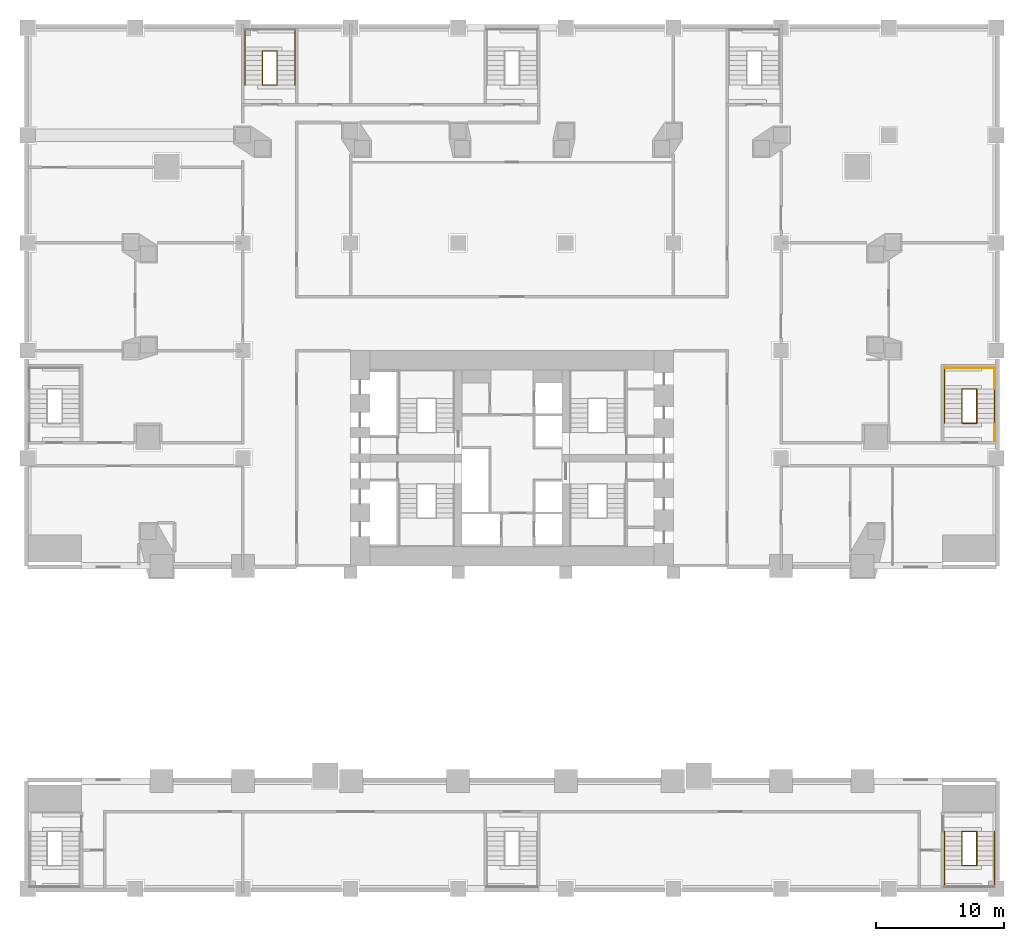
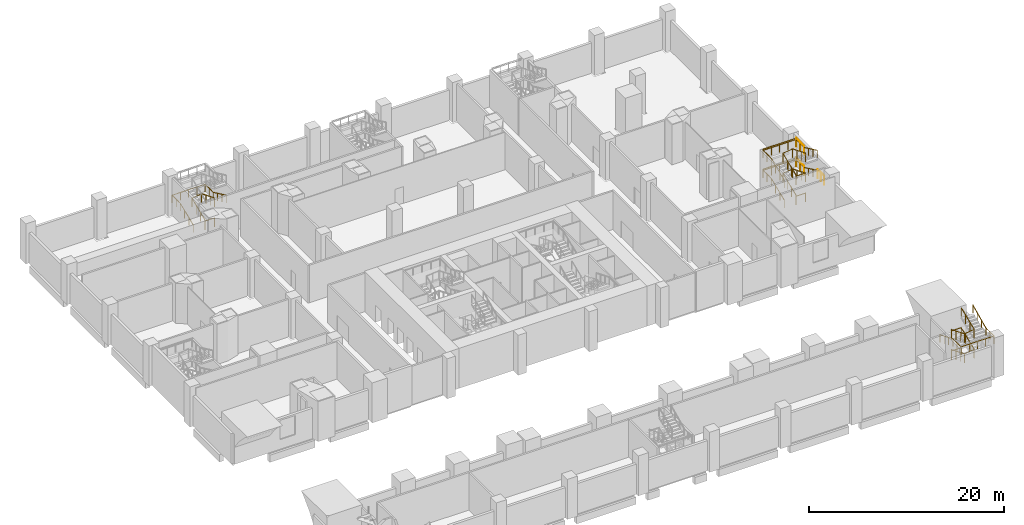
# One storey, part 14 of 16: 14 railings.
"""IFC4 building model written with IfcOpenShell, lengths in metres."""

from ifc_helpers import new_model, si_unit, direction, frame, origin, origin_2d, place, context, subcontext, project, spatial, circle, extrude, material, type_object, element, save


model = new_model("IFC4")

# Units and contexts
model_context = context("Model", 3, precision=1e-05, world=origin(), true_north=direction((0.0, 1.0)))
body_context = subcontext(model_context, "Body", "Model", "MODEL_VIEW")
ifc_project = project(units=[si_unit("LENGTHUNIT", "METRE"), si_unit("AREAUNIT", "SQUARE_METRE"), si_unit("VOLUMEUNIT", "CUBIC_METRE"), si_unit("PLANEANGLEUNIT", "RADIAN"), si_unit("MASSUNIT", "GRAM", prefix="KILO")], contexts=[model_context])

# Site, building, storey
site_placement = place(None, origin())
site = spatial("IfcSite", under=ifc_project, at=site_placement, CompositionType="ELEMENT")
building_placement = place(site_placement, origin())
building = spatial("IfcBuilding", under=site, at=building_placement, Name="Marenta Gate Hotel Tower", CompositionType="ELEMENT")
storey_placement = place(building_placement, frame((0.0, 0.0, 21.0)))
storey = spatial("IfcBuildingStorey", under=building, at=storey_placement, Name="L03", CompositionType="ELEMENT", Elevation=21.0)

# Railings
ifc_material_1 = material(Name="Stainless steel", Category="steel")
railing_type_1 = type_object("IfcRailingType", Name="Core stair handrail 950", PredefinedType="HANDRAIL", material=ifc_material_1)
railing_1_placement = place(storey_placement, frame((33.75, -20.72998046875, 2.65625)))
element("IfcRailing", 1, at=railing_1_placement, inside=storey, type_object=railing_type_1, Name="HR-950 L03-KR-PX2-5", PredefinedType="HANDRAIL", context=body_context, shape_type="SweptSolid", body=[
    extrude(circle(Radius=0.02392578125, at=origin_2d()), frame((0.0, 0.0, 0.92578125), z_axis=(0.0, -0.924862585091, 0.38030145766), x_axis=(1.0, 0.0, 0.0)), (0.0, 0.0, 1.0), 2.8759765625),
    extrude(circle(Radius=0.02392578125, at=origin_2d()), frame((0.0, -2.659912109375, 2.01953125), z_axis=(0.0, -1.0, 0.0), x_axis=(1.0, 0.0, 0.0)), (0.0, 0.0, 1.0), 1.66015625),
    extrude(circle(Radius=0.02392578125, at=origin_2d()), frame((0.0, -4.320068359375, 2.01953125), z_axis=(1.0, 0.0, 0.0), x_axis=(0.0, 1.0, 0.0)), (0.0, 0.0, 1.0), 3.89990234375),
    extrude(circle(Radius=0.02392578125, at=origin_2d()), frame((3.89990234375, -4.320068359375, 2.01953125), z_axis=(0.0, 1.0, 0.0), x_axis=(-1.0, 0.0, 0.0)), (0.0, 0.0, 1.0), 1.66015625),
    extrude(circle(Radius=0.02392578125, at=origin_2d()), frame((3.89990234375, -2.659912109375, 2.01953125), z_axis=(0.0, 0.905044486808, 0.425316913488), x_axis=(-1.0, 0.0, 0.0)), (0.0, 0.0, 1.0), 2.93896484375),
    extrude(circle(Radius=0.02099609375, at=origin_2d()), origin(), (0.0, 0.0, 1.0), 0.90185546875),
    extrude(circle(Radius=0.02099609375, at=origin_2d()), frame((0.0, -0.88671875, 0.364501953125)), (0.0, 0.0, 1.0), 0.90185546875),
    extrude(circle(Radius=0.02099609375, at=origin_2d()), frame((0.0, -1.773193359375, 0.729248046875)), (0.0, 0.0, 1.0), 0.90185546875),
    extrude(circle(Radius=0.02099609375, at=origin_2d()), frame((0.0, -2.659912109375, 1.09375)), (0.0, 0.0, 1.0), 0.90185546875),
    extrude(circle(Radius=0.02099609375, at=origin_2d()), frame((0.0, -3.489990234375, 1.09375)), (0.0, 0.0, 1.0), 0.90185546875),
    extrude(circle(Radius=0.02099609375, at=origin_2d()), frame((0.0, -4.320068359375, 1.09375)), (0.0, 0.0, 1.0), 0.90185546875),
    extrude(circle(Radius=0.02099609375, at=origin_2d()), frame((0.97509765625, -4.320068359375, 1.09375)), (0.0, 0.0, 1.0), 0.90185546875),
    extrude(circle(Radius=0.02099609375, at=origin_2d()), frame((1.949951171875, -4.320068359375, 1.09375)), (0.0, 0.0, 1.0), 0.90185546875),
    extrude(circle(Radius=0.02099609375, at=origin_2d()), frame((2.9248046875, -4.320068359375, 1.09375)), (0.0, 0.0, 1.0), 0.90185546875),
    extrude(circle(Radius=0.02099609375, at=origin_2d()), frame((3.89990234375, -4.320068359375, 1.09375)), (0.0, 0.0, 1.0), 0.90185546875),
    extrude(circle(Radius=0.02099609375, at=origin_2d()), frame((3.89990234375, -3.489990234375, 1.09375)), (0.0, 0.0, 1.0), 0.90185546875),
    extrude(circle(Radius=0.02099609375, at=origin_2d()), frame((3.89990234375, -2.659912109375, 1.09375)), (0.0, 0.0, 1.0), 0.90185546875),
    extrude(circle(Radius=0.02099609375, at=origin_2d()), frame((3.89990234375, -1.773193359375, 1.510498046875)), (0.0, 0.0, 1.0), 0.90185546875),
    extrude(circle(Radius=0.02099609375, at=origin_2d()), frame((3.89990234375, -0.88671875, 1.927001953125)), (0.0, 0.0, 1.0), 0.90185546875),
    extrude(circle(Radius=0.02099609375, at=origin_2d()), frame((3.89990234375, 0.0, 2.34375)), (0.0, 0.0, 1.0), 0.90185546875),
])
railing_2_placement = place(storey_placement, frame((-20.85009765625, 37.530029296875, 0.15625)))
element("IfcRailing", 2, at=railing_2_placement, inside=storey, type_object=railing_type_1, Name="HR-950 L03-KR-PX3-2", PredefinedType="HANDRAIL", context=body_context, shape_type="SweptSolid", body=[
    extrude(circle(Radius=0.02392578125, at=origin_2d()), frame((0.0, 0.0, 0.92578125), z_axis=(0.0, 0.924862585091, 0.38030145766), x_axis=(-1.0, 0.0, 0.0)), (0.0, 0.0, 1.0), 2.8759765625),
    extrude(circle(Radius=0.02392578125, at=origin_2d()), frame((0.0, 2.659912109375, 2.01953125), z_axis=(0.0, 1.0, 0.0), x_axis=(-1.0, 0.0, 0.0)), (0.0, 0.0, 1.0), 1.66015625),
    extrude(circle(Radius=0.02392578125, at=origin_2d()), frame((0.0, 4.320068359375, 2.01953125), z_axis=(1.0, 0.0, 0.0), x_axis=(0.0, 1.0, 0.0)), (0.0, 0.0, 1.0), 3.900146484375),
    extrude(circle(Radius=0.02392578125, at=origin_2d()), frame((3.900146484375, 4.320068359375, 2.01953125), z_axis=(0.0, -1.0, 0.0), x_axis=(1.0, 0.0, 0.0)), (0.0, 0.0, 1.0), 1.66015625),
    extrude(circle(Radius=0.02392578125, at=origin_2d()), frame((3.900146484375, 2.659912109375, 2.01953125), z_axis=(0.0, -0.905044486808, 0.425316913488), x_axis=(1.0, 0.0, 0.0)), (0.0, 0.0, 1.0), 2.93896484375),
    extrude(circle(Radius=0.02099609375, at=origin_2d()), origin(), (0.0, 0.0, 1.0), 0.90185546875),
    extrude(circle(Radius=0.02099609375, at=origin_2d()), frame((0.0, 0.88671875, 0.364501953125)), (0.0, 0.0, 1.0), 0.90185546875),
    extrude(circle(Radius=0.02099609375, at=origin_2d()), frame((0.0, 1.773193359375, 0.729248046875)), (0.0, 0.0, 1.0), 0.90185546875),
    extrude(circle(Radius=0.02099609375, at=origin_2d()), frame((0.0, 2.659912109375, 1.09375)), (0.0, 0.0, 1.0), 0.90185546875),
    extrude(circle(Radius=0.02099609375, at=origin_2d()), frame((0.0, 3.489990234375, 1.09375)), (0.0, 0.0, 1.0), 0.90185546875),
    extrude(circle(Radius=0.02099609375, at=origin_2d()), frame((0.0, 4.320068359375, 1.09375)), (0.0, 0.0, 1.0), 0.90185546875),
    extrude(circle(Radius=0.02099609375, at=origin_2d()), frame((0.97509765625, 4.320068359375, 1.09375)), (0.0, 0.0, 1.0), 0.90185546875),
    extrude(circle(Radius=0.02099609375, at=origin_2d()), frame((1.9501953125, 4.320068359375, 1.09375)), (0.0, 0.0, 1.0), 0.90185546875),
    extrude(circle(Radius=0.02099609375, at=origin_2d()), frame((2.925048828125, 4.320068359375, 1.09375)), (0.0, 0.0, 1.0), 0.90185546875),
    extrude(circle(Radius=0.02099609375, at=origin_2d()), frame((3.900146484375, 4.320068359375, 1.09375)), (0.0, 0.0, 1.0), 0.90185546875),
    extrude(circle(Radius=0.02099609375, at=origin_2d()), frame((3.900146484375, 3.489990234375, 1.09375)), (0.0, 0.0, 1.0), 0.90185546875),
    extrude(circle(Radius=0.02099609375, at=origin_2d()), frame((3.900146484375, 2.659912109375, 1.09375)), (0.0, 0.0, 1.0), 0.90185546875),
    extrude(circle(Radius=0.02099609375, at=origin_2d()), frame((3.900146484375, 1.773193359375, 1.510498046875)), (0.0, 0.0, 1.0), 0.90185546875),
    extrude(circle(Radius=0.02099609375, at=origin_2d()), frame((3.900146484375, 0.88671875, 1.927001953125)), (0.0, 0.0, 1.0), 0.90185546875),
    extrude(circle(Radius=0.02099609375, at=origin_2d()), frame((3.900146484375, 0.0, 2.34375)), (0.0, 0.0, 1.0), 0.90185546875),
])
railing_3_placement = place(storey_placement, frame((33.75, 11.1298828125, 0.15625)))
element("IfcRailing", 3, at=railing_3_placement, inside=storey, type_object=railing_type_1, Name="HR-950 L03-KR-PX7-2", PredefinedType="HANDRAIL", context=body_context, shape_type="SweptSolid", body=[
    extrude(circle(Radius=0.02392578125, at=origin_2d()), frame((0.0, 0.0, 0.92578125), z_axis=(0.0, 0.924874861033, 0.380271602187), x_axis=(-1.0, 0.0, 0.0)), (0.0, 0.0, 1.0), 2.876220703125),
    extrude(circle(Radius=0.02392578125, at=origin_2d()), frame((0.0, 2.66015625, 2.01953125), z_axis=(0.0, 1.0, 0.0), x_axis=(-1.0, 0.0, 0.0)), (0.0, 0.0, 1.0), 1.659912109375),
    extrude(circle(Radius=0.02392578125, at=origin_2d()), frame((0.0, 4.320068359375, 2.01953125), z_axis=(1.0, 0.0, 0.0), x_axis=(0.0, 1.0, 0.0)), (0.0, 0.0, 1.0), 3.89990234375),
    extrude(circle(Radius=0.02392578125, at=origin_2d()), frame((3.89990234375, 4.320068359375, 2.01953125), z_axis=(0.0, -1.0, 0.0), x_axis=(1.0, 0.0, 0.0)), (0.0, 0.0, 1.0), 1.659912109375),
    extrude(circle(Radius=0.02392578125, at=origin_2d()), frame((3.89990234375, 2.66015625, 2.01953125), z_axis=(0.0, -0.905059511965, 0.425284939543), x_axis=(1.0, 0.0, 0.0)), (0.0, 0.0, 1.0), 2.939208984375),
    extrude(circle(Radius=0.02099609375, at=origin_2d()), origin(), (0.0, 0.0, 1.0), 0.90185546875),
    extrude(circle(Radius=0.02099609375, at=origin_2d()), frame((0.0, 0.88671875, 0.364501953125)), (0.0, 0.0, 1.0), 0.90185546875),
    extrude(circle(Radius=0.02099609375, at=origin_2d()), frame((0.0, 1.7734375, 0.729248046875)), (0.0, 0.0, 1.0), 0.90185546875),
    extrude(circle(Radius=0.02099609375, at=origin_2d()), frame((0.0, 2.66015625, 1.09375)), (0.0, 0.0, 1.0), 0.90185546875),
    extrude(circle(Radius=0.02099609375, at=origin_2d()), frame((0.0, 3.490234375, 1.09375)), (0.0, 0.0, 1.0), 0.90185546875),
    extrude(circle(Radius=0.02099609375, at=origin_2d()), frame((0.0, 4.320068359375, 1.09375)), (0.0, 0.0, 1.0), 0.90185546875),
    extrude(circle(Radius=0.02099609375, at=origin_2d()), frame((0.97509765625, 4.320068359375, 1.09375)), (0.0, 0.0, 1.0), 0.90185546875),
    extrude(circle(Radius=0.02099609375, at=origin_2d()), frame((1.949951171875, 4.320068359375, 1.09375)), (0.0, 0.0, 1.0), 0.90185546875),
    extrude(circle(Radius=0.02099609375, at=origin_2d()), frame((2.9248046875, 4.320068359375, 1.09375)), (0.0, 0.0, 1.0), 0.90185546875),
    extrude(circle(Radius=0.02099609375, at=origin_2d()), frame((3.89990234375, 4.320068359375, 1.09375)), (0.0, 0.0, 1.0), 0.90185546875),
    extrude(circle(Radius=0.02099609375, at=origin_2d()), frame((3.89990234375, 3.490234375, 1.09375)), (0.0, 0.0, 1.0), 0.90185546875),
    extrude(circle(Radius=0.02099609375, at=origin_2d()), frame((3.89990234375, 2.66015625, 1.09375)), (0.0, 0.0, 1.0), 0.90185546875),
    extrude(circle(Radius=0.02099609375, at=origin_2d()), frame((3.89990234375, 1.7734375, 1.510498046875)), (0.0, 0.0, 1.0), 0.90185546875),
    extrude(circle(Radius=0.02099609375, at=origin_2d()), frame((3.89990234375, 0.88671875, 1.927001953125)), (0.0, 0.0, 1.0), 0.90185546875),
    extrude(circle(Radius=0.02099609375, at=origin_2d()), frame((3.89990234375, 0.0, 2.34375)), (0.0, 0.0, 1.0), 0.90185546875),
])
railing_4_placement = place(storey_placement, frame((33.75, 11.1298828125, 2.65625)))
element("IfcRailing", 4, at=railing_4_placement, inside=storey, type_object=railing_type_1, Name="HR-950 L03-KR-PX7-5", PredefinedType="HANDRAIL", context=body_context, shape_type="SweptSolid", body=[
    extrude(circle(Radius=0.02392578125, at=origin_2d()), frame((0.0, 0.0, 0.92578125), z_axis=(0.0, 0.924874861033, 0.380271602187), x_axis=(-1.0, 0.0, 0.0)), (0.0, 0.0, 1.0), 2.876220703125),
    extrude(circle(Radius=0.02392578125, at=origin_2d()), frame((0.0, 2.66015625, 2.01953125), z_axis=(0.0, 1.0, 0.0), x_axis=(-1.0, 0.0, 0.0)), (0.0, 0.0, 1.0), 1.659912109375),
    extrude(circle(Radius=0.02392578125, at=origin_2d()), frame((0.0, 4.320068359375, 2.01953125), z_axis=(1.0, 0.0, 0.0), x_axis=(0.0, 1.0, 0.0)), (0.0, 0.0, 1.0), 3.89990234375),
    extrude(circle(Radius=0.02392578125, at=origin_2d()), frame((3.89990234375, 4.320068359375, 2.01953125), z_axis=(0.0, -1.0, 0.0), x_axis=(1.0, 0.0, 0.0)), (0.0, 0.0, 1.0), 1.659912109375),
    extrude(circle(Radius=0.02392578125, at=origin_2d()), frame((3.89990234375, 2.66015625, 2.01953125), z_axis=(0.0, -0.905059511965, 0.425284939543), x_axis=(1.0, 0.0, 0.0)), (0.0, 0.0, 1.0), 2.939208984375),
    extrude(circle(Radius=0.02099609375, at=origin_2d()), origin(), (0.0, 0.0, 1.0), 0.90185546875),
    extrude(circle(Radius=0.02099609375, at=origin_2d()), frame((0.0, 0.88671875, 0.364501953125)), (0.0, 0.0, 1.0), 0.90185546875),
    extrude(circle(Radius=0.02099609375, at=origin_2d()), frame((0.0, 1.7734375, 0.729248046875)), (0.0, 0.0, 1.0), 0.90185546875),
    extrude(circle(Radius=0.02099609375, at=origin_2d()), frame((0.0, 2.66015625, 1.09375)), (0.0, 0.0, 1.0), 0.90185546875),
    extrude(circle(Radius=0.02099609375, at=origin_2d()), frame((0.0, 3.490234375, 1.09375)), (0.0, 0.0, 1.0), 0.90185546875),
    extrude(circle(Radius=0.02099609375, at=origin_2d()), frame((0.0, 4.320068359375, 1.09375)), (0.0, 0.0, 1.0), 0.90185546875),
    extrude(circle(Radius=0.02099609375, at=origin_2d()), frame((0.97509765625, 4.320068359375, 1.09375)), (0.0, 0.0, 1.0), 0.90185546875),
    extrude(circle(Radius=0.02099609375, at=origin_2d()), frame((1.949951171875, 4.320068359375, 1.09375)), (0.0, 0.0, 1.0), 0.90185546875),
    extrude(circle(Radius=0.02099609375, at=origin_2d()), frame((2.9248046875, 4.320068359375, 1.09375)), (0.0, 0.0, 1.0), 0.90185546875),
    extrude(circle(Radius=0.02099609375, at=origin_2d()), frame((3.89990234375, 4.320068359375, 1.09375)), (0.0, 0.0, 1.0), 0.90185546875),
    extrude(circle(Radius=0.02099609375, at=origin_2d()), frame((3.89990234375, 3.490234375, 1.09375)), (0.0, 0.0, 1.0), 0.90185546875),
    extrude(circle(Radius=0.02099609375, at=origin_2d()), frame((3.89990234375, 2.66015625, 1.09375)), (0.0, 0.0, 1.0), 0.90185546875),
    extrude(circle(Radius=0.02099609375, at=origin_2d()), frame((3.89990234375, 1.7734375, 1.510498046875)), (0.0, 0.0, 1.0), 0.90185546875),
    extrude(circle(Radius=0.02099609375, at=origin_2d()), frame((3.89990234375, 0.88671875, 1.927001953125)), (0.0, 0.0, 1.0), 0.90185546875),
    extrude(circle(Radius=0.02099609375, at=origin_2d()), frame((3.89990234375, 0.0, 2.34375)), (0.0, 0.0, 1.0), 0.90185546875),
])
ifc_material_2 = material(Name="Stainless steel", Category="steel")
railing_type_2 = type_object("IfcRailingType", Name="Core stair well guard 1100", PredefinedType="GUARDRAIL", material=ifc_material_2)
railing_5_placement = place(storey_placement, frame((36.27001953125, -20.72998046875, 0.0)))
element("IfcRailing", 5, at=railing_5_placement, inside=storey, type_object=railing_type_2, Name="GR-1100 L03-KR-PX2-3", PredefinedType="GUARDRAIL", context=body_context, shape_type="SweptSolid", body=[
    extrude(circle(Radius=0.02392578125, at=origin_2d()), frame((0.0, 0.0, 1.076171875), z_axis=(-1.0, 0.0, 0.0), x_axis=(0.0, -1.0, 0.0)), (0.0, 0.0, 1.0), 1.14013671875),
    extrude(circle(Radius=0.02392578125, at=origin_2d()), frame((-1.14013671875, 0.0, 1.076171875), z_axis=(0.0, 0.0, 1.0), x_axis=(1.0, 0.0, 0.0)), (0.0, 0.0, 1.0), 0.15625),
    extrude(circle(Radius=0.02392578125, at=origin_2d()), frame((-1.14013671875, 0.0, 1.232421875), z_axis=(0.0, -0.924862585091, 0.38030145766), x_axis=(1.0, 0.0, 0.0)), (0.0, 0.0, 1.0), 2.8759765625),
    extrude(circle(Radius=0.02392578125, at=origin_2d()), frame((-1.14013671875, -2.659912109375, 2.326171875), z_axis=(0.990739578357, 0.0, 0.135775873693), x_axis=(0.0, 1.0, 0.0)), (0.0, 0.0, 1.0), 1.15087890625),
    extrude(circle(Radius=0.02392578125, at=origin_2d()), frame((0.0, -2.659912109375, 2.482421875), z_axis=(0.0, 0.924862585091, 0.38030145766), x_axis=(-1.0, 0.0, 0.0)), (0.0, 0.0, 1.0), 2.8759765625),
    extrude(circle(Radius=0.02099609375, at=origin_2d()), origin(), (0.0, 0.0, 1.0), 1.052001953125),
    extrude(circle(Radius=0.02099609375, at=origin_2d()), frame((-1.14013671875, 0.0, 0.0)), (0.0, 0.0, 1.0), 1.052001953125),
    extrude(circle(Radius=0.02099609375, at=origin_2d()), frame((-1.14013671875, 0.0, 0.15625)), (0.0, 0.0, 1.0), 1.052001953125),
    extrude(circle(Radius=0.02099609375, at=origin_2d()), frame((-1.14013671875, -0.88671875, 0.520751953125)), (0.0, 0.0, 1.0), 1.052001953125),
    extrude(circle(Radius=0.02099609375, at=origin_2d()), frame((-1.14013671875, -1.773193359375, 0.885498046875)), (0.0, 0.0, 1.0), 1.052001953125),
    extrude(circle(Radius=0.02099609375, at=origin_2d()), frame((-1.14013671875, -2.659912109375, 1.25)), (0.0, 0.0, 1.0), 1.052001953125),
    extrude(circle(Radius=0.02099609375, at=origin_2d()), frame((0.0, -2.659912109375, 1.40625)), (0.0, 0.0, 1.0), 1.052001953125),
    extrude(circle(Radius=0.02099609375, at=origin_2d()), frame((0.0, -1.773193359375, 1.770751953125)), (0.0, 0.0, 1.0), 1.052001953125),
    extrude(circle(Radius=0.02099609375, at=origin_2d()), frame((0.0, -0.88671875, 2.135498046875)), (0.0, 0.0, 1.0), 1.052001953125),
    extrude(circle(Radius=0.02099609375, at=origin_2d()), frame((0.0, 0.0, 2.5)), (0.0, 0.0, 1.0), 1.052001953125),
])
railing_6_placement = place(storey_placement, frame((36.27001953125, -20.72998046875, 2.5)))
element("IfcRailing", 6, at=railing_6_placement, inside=storey, type_object=railing_type_2, Name="GR-1100 L03-KR-PX2-6", PredefinedType="GUARDRAIL", context=body_context, shape_type="SweptSolid", body=[
    extrude(circle(Radius=0.02392578125, at=origin_2d()), frame((0.0, 0.0, 1.076171875), z_axis=(-1.0, 0.0, 0.0), x_axis=(0.0, -1.0, 0.0)), (0.0, 0.0, 1.0), 1.14013671875),
    extrude(circle(Radius=0.02392578125, at=origin_2d()), frame((-1.14013671875, 0.0, 1.076171875), z_axis=(0.0, 0.0, 1.0), x_axis=(1.0, 0.0, 0.0)), (0.0, 0.0, 1.0), 0.15625),
    extrude(circle(Radius=0.02392578125, at=origin_2d()), frame((-1.14013671875, 0.0, 1.232421875), z_axis=(0.0, -0.924862585091, 0.38030145766), x_axis=(1.0, 0.0, 0.0)), (0.0, 0.0, 1.0), 2.8759765625),
    extrude(circle(Radius=0.02392578125, at=origin_2d()), frame((-1.14013671875, -2.659912109375, 2.326171875), z_axis=(0.990739578357, 0.0, 0.135775873693), x_axis=(0.0, 1.0, 0.0)), (0.0, 0.0, 1.0), 1.15087890625),
    extrude(circle(Radius=0.02392578125, at=origin_2d()), frame((0.0, -2.659912109375, 2.482421875), z_axis=(0.0, 0.924862585091, 0.38030145766), x_axis=(-1.0, 0.0, 0.0)), (0.0, 0.0, 1.0), 2.8759765625),
    extrude(circle(Radius=0.02099609375, at=origin_2d()), origin(), (0.0, 0.0, 1.0), 1.052001953125),
    extrude(circle(Radius=0.02099609375, at=origin_2d()), frame((-1.14013671875, 0.0, 0.0)), (0.0, 0.0, 1.0), 1.052001953125),
    extrude(circle(Radius=0.02099609375, at=origin_2d()), frame((-1.14013671875, 0.0, 0.15625)), (0.0, 0.0, 1.0), 1.052001953125),
    extrude(circle(Radius=0.02099609375, at=origin_2d()), frame((-1.14013671875, -0.88671875, 0.520751953125)), (0.0, 0.0, 1.0), 1.052001953125),
    extrude(circle(Radius=0.02099609375, at=origin_2d()), frame((-1.14013671875, -1.773193359375, 0.885498046875)), (0.0, 0.0, 1.0), 1.052001953125),
    extrude(circle(Radius=0.02099609375, at=origin_2d()), frame((-1.14013671875, -2.659912109375, 1.25)), (0.0, 0.0, 1.0), 1.052001953125),
    extrude(circle(Radius=0.02099609375, at=origin_2d()), frame((0.0, -2.659912109375, 1.40625)), (0.0, 0.0, 1.0), 1.052001953125),
    extrude(circle(Radius=0.02099609375, at=origin_2d()), frame((0.0, -1.773193359375, 1.770751953125)), (0.0, 0.0, 1.0), 1.052001953125),
    extrude(circle(Radius=0.02099609375, at=origin_2d()), frame((0.0, -0.88671875, 2.135498046875)), (0.0, 0.0, 1.0), 1.052001953125),
    extrude(circle(Radius=0.02099609375, at=origin_2d()), frame((0.0, 0.0, 2.5)), (0.0, 0.0, 1.0), 1.052001953125),
])
railing_7_placement = place(storey_placement, frame((-18.330078125, 37.530029296875, 0.0)))
element("IfcRailing", 7, at=railing_7_placement, inside=storey, type_object=railing_type_2, Name="GR-1100 L03-KR-PX3-3", PredefinedType="GUARDRAIL", context=body_context, shape_type="SweptSolid", body=[
    extrude(circle(Radius=0.02392578125, at=origin_2d()), frame((0.0, 0.0, 1.076171875), z_axis=(-1.0, 0.0, 0.0), x_axis=(0.0, -1.0, 0.0)), (0.0, 0.0, 1.0), 1.139892578125),
    extrude(circle(Radius=0.02392578125, at=origin_2d()), frame((-1.139892578125, 0.0, 1.076171875), z_axis=(0.0, 0.0, 1.0), x_axis=(1.0, 0.0, 0.0)), (0.0, 0.0, 1.0), 0.15625),
    extrude(circle(Radius=0.02392578125, at=origin_2d()), frame((-1.139892578125, 0.0, 1.232421875), z_axis=(0.0, 0.924862585091, 0.38030145766), x_axis=(-1.0, 0.0, 0.0)), (0.0, 0.0, 1.0), 2.8759765625),
    extrude(circle(Radius=0.02392578125, at=origin_2d()), frame((-1.139892578125, 2.659912109375, 2.326171875), z_axis=(0.990735666123, 0.0, 0.135804417717), x_axis=(0.0, 1.0, 0.0)), (0.0, 0.0, 1.0), 1.150634765625),
    extrude(circle(Radius=0.02392578125, at=origin_2d()), frame((0.0, 2.659912109375, 2.482421875), z_axis=(0.0, -0.924862585091, 0.38030145766), x_axis=(1.0, 0.0, 0.0)), (0.0, 0.0, 1.0), 2.8759765625),
    extrude(circle(Radius=0.02099609375, at=origin_2d()), origin(), (0.0, 0.0, 1.0), 1.052001953125),
    extrude(circle(Radius=0.02099609375, at=origin_2d()), frame((-1.139892578125, 0.0, 0.0)), (0.0, 0.0, 1.0), 1.052001953125),
    extrude(circle(Radius=0.02099609375, at=origin_2d()), frame((-1.139892578125, 0.0, 0.15625)), (0.0, 0.0, 1.0), 1.052001953125),
    extrude(circle(Radius=0.02099609375, at=origin_2d()), frame((-1.139892578125, 0.88671875, 0.520751953125)), (0.0, 0.0, 1.0), 1.052001953125),
    extrude(circle(Radius=0.02099609375, at=origin_2d()), frame((-1.139892578125, 1.773193359375, 0.885498046875)), (0.0, 0.0, 1.0), 1.052001953125),
    extrude(circle(Radius=0.02099609375, at=origin_2d()), frame((-1.139892578125, 2.659912109375, 1.25)), (0.0, 0.0, 1.0), 1.052001953125),
    extrude(circle(Radius=0.02099609375, at=origin_2d()), frame((0.0, 2.659912109375, 1.40625)), (0.0, 0.0, 1.0), 1.052001953125),
    extrude(circle(Radius=0.02099609375, at=origin_2d()), frame((0.0, 1.773193359375, 1.770751953125)), (0.0, 0.0, 1.0), 1.052001953125),
    extrude(circle(Radius=0.02099609375, at=origin_2d()), frame((0.0, 0.88671875, 2.135498046875)), (0.0, 0.0, 1.0), 1.052001953125),
    extrude(circle(Radius=0.02099609375, at=origin_2d()), frame((0.0, 0.0, 2.5)), (0.0, 0.0, 1.0), 1.052001953125),
])
railing_8_placement = place(storey_placement, frame((33.75, 15.449951171875, 1.25)))
element("IfcRailing", 8, at=railing_8_placement, inside=storey, type_object=railing_type_2, Name="GR-1100 L03-KR-PX7-1", PredefinedType="GUARDRAIL", context=body_context, shape_type="SweptSolid", body=[
    extrude(circle(Radius=0.02392578125, at=origin_2d()), frame((0.0, 0.0, 1.076171875), z_axis=(1.0, 0.0, 0.0), x_axis=(0.0, 1.0, 0.0)), (0.0, 0.0, 1.0), 3.89990234375),
    extrude(circle(Radius=0.02099609375, at=origin_2d()), origin(), (0.0, 0.0, 1.0), 1.052001953125),
    extrude(circle(Radius=0.02099609375, at=origin_2d()), frame((0.97509765625, 0.0, 0.0)), (0.0, 0.0, 1.0), 1.052001953125),
    extrude(circle(Radius=0.02099609375, at=origin_2d()), frame((1.949951171875, 0.0, 0.0)), (0.0, 0.0, 1.0), 1.052001953125),
    extrude(circle(Radius=0.02099609375, at=origin_2d()), frame((2.9248046875, 0.0, 0.0)), (0.0, 0.0, 1.0), 1.052001953125),
    extrude(circle(Radius=0.02099609375, at=origin_2d()), frame((3.89990234375, 0.0, 0.0)), (0.0, 0.0, 1.0), 1.052001953125),
])
railing_9_placement = place(storey_placement, frame((36.27001953125, 11.1298828125, 0.0)))
element("IfcRailing", 9, at=railing_9_placement, inside=storey, type_object=railing_type_2, Name="GR-1100 L03-KR-PX7-3", PredefinedType="GUARDRAIL", context=body_context, shape_type="SweptSolid", body=[
    extrude(circle(Radius=0.02392578125, at=origin_2d()), frame((0.0, 0.0, 1.076171875), z_axis=(-1.0, 0.0, 0.0), x_axis=(0.0, -1.0, 0.0)), (0.0, 0.0, 1.0), 1.14013671875),
    extrude(circle(Radius=0.02392578125, at=origin_2d()), frame((-1.14013671875, 0.0, 1.076171875), z_axis=(0.0, 0.0, 1.0), x_axis=(1.0, 0.0, 0.0)), (0.0, 0.0, 1.0), 0.15625),
    extrude(circle(Radius=0.02392578125, at=origin_2d()), frame((-1.14013671875, 0.0, 1.232421875), z_axis=(0.0, 0.924874861033, 0.380271602187), x_axis=(-1.0, 0.0, 0.0)), (0.0, 0.0, 1.0), 2.876220703125),
    extrude(circle(Radius=0.02392578125, at=origin_2d()), frame((-1.14013671875, 2.66015625, 2.326171875), z_axis=(0.990739578357, 0.0, 0.135775873693), x_axis=(0.0, 1.0, 0.0)), (0.0, 0.0, 1.0), 1.15087890625),
    extrude(circle(Radius=0.02392578125, at=origin_2d()), frame((0.0, 2.66015625, 2.482421875), z_axis=(0.0, -0.924874861033, 0.380271602187), x_axis=(1.0, 0.0, 0.0)), (0.0, 0.0, 1.0), 2.876220703125),
    extrude(circle(Radius=0.02099609375, at=origin_2d()), origin(), (0.0, 0.0, 1.0), 1.052001953125),
    extrude(circle(Radius=0.02099609375, at=origin_2d()), frame((-1.14013671875, 0.0, 0.0)), (0.0, 0.0, 1.0), 1.052001953125),
    extrude(circle(Radius=0.02099609375, at=origin_2d()), frame((-1.14013671875, 0.0, 0.15625)), (0.0, 0.0, 1.0), 1.052001953125),
    extrude(circle(Radius=0.02099609375, at=origin_2d()), frame((-1.14013671875, 0.88671875, 0.520751953125)), (0.0, 0.0, 1.0), 1.052001953125),
    extrude(circle(Radius=0.02099609375, at=origin_2d()), frame((-1.14013671875, 1.7734375, 0.885498046875)), (0.0, 0.0, 1.0), 1.052001953125),
    extrude(circle(Radius=0.02099609375, at=origin_2d()), frame((-1.14013671875, 2.66015625, 1.25)), (0.0, 0.0, 1.0), 1.052001953125),
    extrude(circle(Radius=0.02099609375, at=origin_2d()), frame((0.0, 2.66015625, 1.40625)), (0.0, 0.0, 1.0), 1.052001953125),
    extrude(circle(Radius=0.02099609375, at=origin_2d()), frame((0.0, 1.7734375, 1.770751953125)), (0.0, 0.0, 1.0), 1.052001953125),
    extrude(circle(Radius=0.02099609375, at=origin_2d()), frame((0.0, 0.88671875, 2.135498046875)), (0.0, 0.0, 1.0), 1.052001953125),
    extrude(circle(Radius=0.02099609375, at=origin_2d()), frame((0.0, 0.0, 2.5)), (0.0, 0.0, 1.0), 1.052001953125),
])
railing_10_placement = place(storey_placement, frame((33.75, 15.449951171875, 3.75)))
element("IfcRailing", 10, at=railing_10_placement, inside=storey, type_object=railing_type_2, Name="GR-1100 L03-KR-PX7-4", PredefinedType="GUARDRAIL", context=body_context, shape_type="SweptSolid", body=[
    extrude(circle(Radius=0.02392578125, at=origin_2d()), frame((0.0, 0.0, 1.076171875), z_axis=(1.0, 0.0, 0.0), x_axis=(0.0, 1.0, 0.0)), (0.0, 0.0, 1.0), 3.89990234375),
    extrude(circle(Radius=0.02099609375, at=origin_2d()), origin(), (0.0, 0.0, 1.0), 1.052001953125),
    extrude(circle(Radius=0.02099609375, at=origin_2d()), frame((0.97509765625, 0.0, 0.0)), (0.0, 0.0, 1.0), 1.052001953125),
    extrude(circle(Radius=0.02099609375, at=origin_2d()), frame((1.949951171875, 0.0, 0.0)), (0.0, 0.0, 1.0), 1.052001953125),
    extrude(circle(Radius=0.02099609375, at=origin_2d()), frame((2.9248046875, 0.0, 0.0)), (0.0, 0.0, 1.0), 1.052001953125),
    extrude(circle(Radius=0.02099609375, at=origin_2d()), frame((3.89990234375, 0.0, 0.0)), (0.0, 0.0, 1.0), 1.052001953125),
])
railing_11_placement = place(storey_placement, frame((36.27001953125, 11.1298828125, 2.5)))
element("IfcRailing", 11, at=railing_11_placement, inside=storey, type_object=railing_type_2, Name="GR-1100 L03-KR-PX7-6", PredefinedType="GUARDRAIL", context=body_context, shape_type="SweptSolid", body=[
    extrude(circle(Radius=0.02392578125, at=origin_2d()), frame((0.0, 0.0, 1.076171875), z_axis=(-1.0, 0.0, 0.0), x_axis=(0.0, -1.0, 0.0)), (0.0, 0.0, 1.0), 1.14013671875),
    extrude(circle(Radius=0.02392578125, at=origin_2d()), frame((-1.14013671875, 0.0, 1.076171875), z_axis=(0.0, 0.0, 1.0), x_axis=(1.0, 0.0, 0.0)), (0.0, 0.0, 1.0), 0.15625),
    extrude(circle(Radius=0.02392578125, at=origin_2d()), frame((-1.14013671875, 0.0, 1.232421875), z_axis=(0.0, 0.924874861033, 0.380271602187), x_axis=(-1.0, 0.0, 0.0)), (0.0, 0.0, 1.0), 2.876220703125),
    extrude(circle(Radius=0.02392578125, at=origin_2d()), frame((-1.14013671875, 2.66015625, 2.326171875), z_axis=(0.990739578357, 0.0, 0.135775873693), x_axis=(0.0, 1.0, 0.0)), (0.0, 0.0, 1.0), 1.15087890625),
    extrude(circle(Radius=0.02392578125, at=origin_2d()), frame((0.0, 2.66015625, 2.482421875), z_axis=(0.0, -0.924874861033, 0.380271602187), x_axis=(1.0, 0.0, 0.0)), (0.0, 0.0, 1.0), 2.876220703125),
    extrude(circle(Radius=0.02099609375, at=origin_2d()), origin(), (0.0, 0.0, 1.0), 1.052001953125),
    extrude(circle(Radius=0.02099609375, at=origin_2d()), frame((-1.14013671875, 0.0, 0.0)), (0.0, 0.0, 1.0), 1.052001953125),
    extrude(circle(Radius=0.02099609375, at=origin_2d()), frame((-1.14013671875, 0.0, 0.15625)), (0.0, 0.0, 1.0), 1.052001953125),
    extrude(circle(Radius=0.02099609375, at=origin_2d()), frame((-1.14013671875, 0.88671875, 0.520751953125)), (0.0, 0.0, 1.0), 1.052001953125),
    extrude(circle(Radius=0.02099609375, at=origin_2d()), frame((-1.14013671875, 1.7734375, 0.885498046875)), (0.0, 0.0, 1.0), 1.052001953125),
    extrude(circle(Radius=0.02099609375, at=origin_2d()), frame((-1.14013671875, 2.66015625, 1.25)), (0.0, 0.0, 1.0), 1.052001953125),
    extrude(circle(Radius=0.02099609375, at=origin_2d()), frame((0.0, 2.66015625, 1.40625)), (0.0, 0.0, 1.0), 1.052001953125),
    extrude(circle(Radius=0.02099609375, at=origin_2d()), frame((0.0, 1.7734375, 1.770751953125)), (0.0, 0.0, 1.0), 1.052001953125),
    extrude(circle(Radius=0.02099609375, at=origin_2d()), frame((0.0, 0.88671875, 2.135498046875)), (0.0, 0.0, 1.0), 1.052001953125),
    extrude(circle(Radius=0.02099609375, at=origin_2d()), frame((0.0, 0.0, 2.5)), (0.0, 0.0, 1.0), 1.052001953125),
])
railing_12_placement = place(storey_placement, frame((37.679931640625, 13.840087890625, 1.25)))
element("IfcRailing", 12, at=railing_12_placement, inside=storey, type_object=railing_type_2, Name="GR-1100 L03-KR-PX7-7", PredefinedType="GUARDRAIL", context=body_context, shape_type="SweptSolid", body=[
    extrude(circle(Radius=0.02392578125, at=origin_2d()), frame((0.0, 0.0, 1.076171875), z_axis=(0.0, 1.0, 0.0), x_axis=(-1.0, 0.0, 0.0)), (0.0, 0.0, 1.0), 1.60986328125),
    extrude(circle(Radius=0.02099609375, at=origin_2d()), origin(), (0.0, 0.0, 1.0), 1.052001953125),
    extrude(circle(Radius=0.02099609375, at=origin_2d()), frame((0.0, 0.804931640625, 0.0)), (0.0, 0.0, 1.0), 1.052001953125),
    extrude(circle(Radius=0.02099609375, at=origin_2d()), frame((0.0, 1.60986328125, 0.0)), (0.0, 0.0, 1.0), 1.052001953125),
])
railing_13_placement = place(storey_placement, frame((37.679931640625, 9.75, 2.5)))
element("IfcRailing", 13, at=railing_13_placement, inside=storey, type_object=railing_type_2, Name="GR-1100 L03-KR-PX7-8", PredefinedType="GUARDRAIL", context=body_context, shape_type="SweptSolid", body=[
    extrude(circle(Radius=0.02392578125, at=origin_2d()), frame((0.0, 0.0, 1.076171875), z_axis=(0.0, 1.0, 0.0), x_axis=(-1.0, 0.0, 0.0)), (0.0, 0.0, 1.0), 1.330078125),
    extrude(circle(Radius=0.02099609375, at=origin_2d()), origin(), (0.0, 0.0, 1.0), 1.052001953125),
    extrude(circle(Radius=0.02099609375, at=origin_2d()), frame((0.0, 0.6650390625, 0.0)), (0.0, 0.0, 1.0), 1.052001953125),
    extrude(circle(Radius=0.02099609375, at=origin_2d()), frame((0.0, 1.330078125, 0.0)), (0.0, 0.0, 1.0), 1.052001953125),
])
railing_14_placement = place(storey_placement, frame((37.679931640625, 13.840087890625, 3.75)))
element("IfcRailing", 14, at=railing_14_placement, inside=storey, type_object=railing_type_2, Name="GR-1100 L03-KR-PX7-9", PredefinedType="GUARDRAIL", context=body_context, shape_type="SweptSolid", body=[
    extrude(circle(Radius=0.02392578125, at=origin_2d()), frame((0.0, 0.0, 1.076171875), z_axis=(0.0, 1.0, 0.0), x_axis=(-1.0, 0.0, 0.0)), (0.0, 0.0, 1.0), 1.60986328125),
    extrude(circle(Radius=0.02099609375, at=origin_2d()), origin(), (0.0, 0.0, 1.0), 1.052001953125),
    extrude(circle(Radius=0.02099609375, at=origin_2d()), frame((0.0, 0.804931640625, 0.0)), (0.0, 0.0, 1.0), 1.052001953125),
    extrude(circle(Radius=0.02099609375, at=origin_2d()), frame((0.0, 1.60986328125, 0.0)), (0.0, 0.0, 1.0), 1.052001953125),
])

save(model, "model.ifc")
